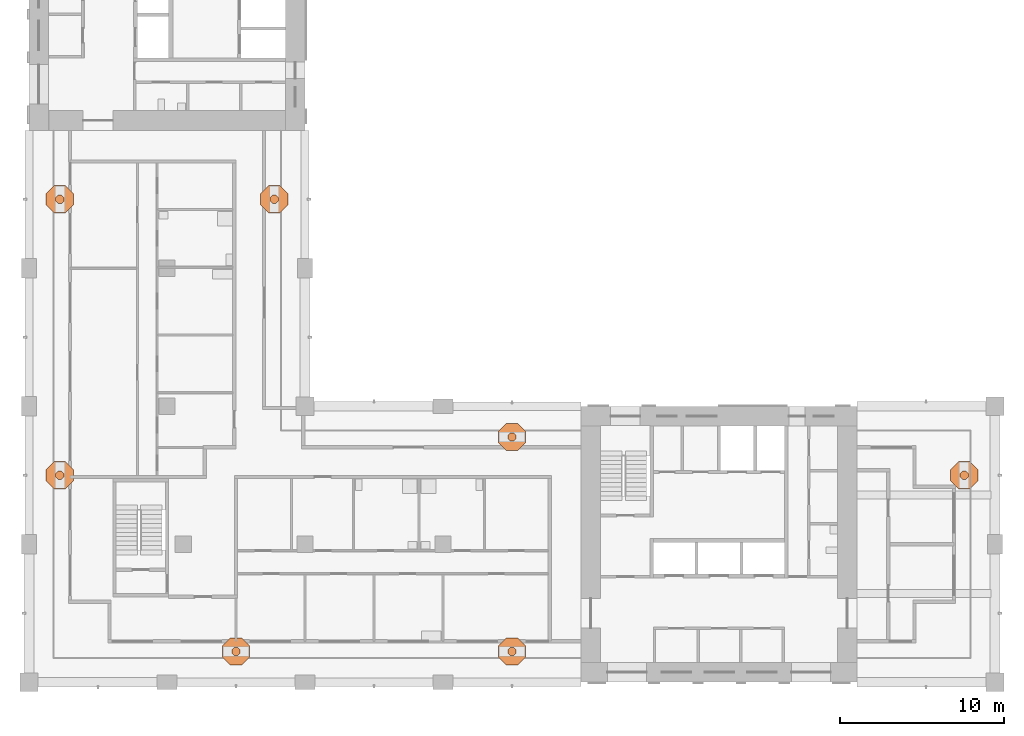
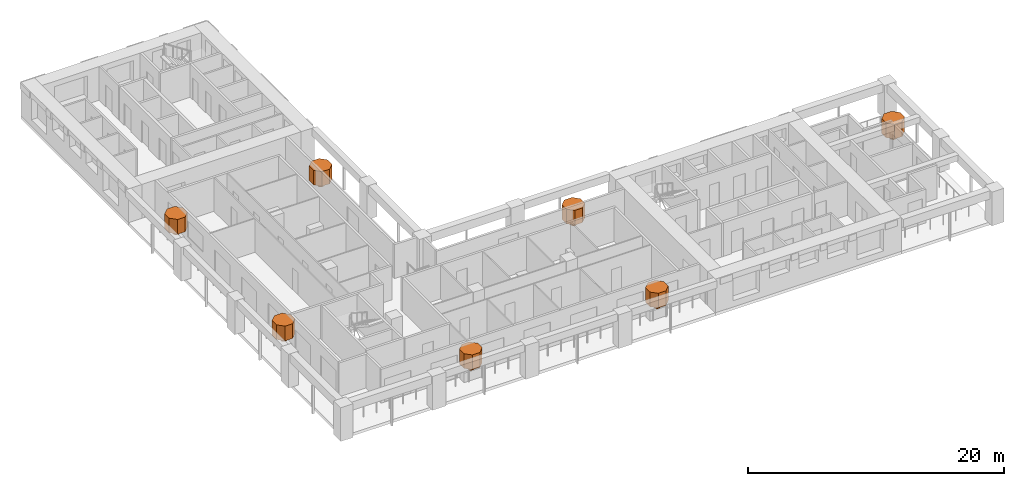
# One storey, part 13 of 13: 14 geographic elements.
"""IFC4 building model written with IfcOpenShell, lengths in metres."""

from ifc_helpers import new_model, si_unit, direction, frame, origin, place, context, subcontext, project, spatial, polyline, outline, extrude, material, element, save


model = new_model("IFC4")

# Units and contexts
model_context = context("Model", 3, precision=1e-05, world=origin(), true_north=direction((0.0, 1.0)))
body_context = subcontext(model_context, "Body", "Model", "MODEL_VIEW")
ifc_project = project(units=[si_unit("LENGTHUNIT", "METRE"), si_unit("AREAUNIT", "SQUARE_METRE"), si_unit("VOLUMEUNIT", "CUBIC_METRE"), si_unit("PLANEANGLEUNIT", "RADIAN"), si_unit("MASSUNIT", "GRAM", prefix="KILO")], contexts=[model_context])

# Site, building, storey
site_placement = place(None, origin())
site = spatial("IfcSite", under=ifc_project, at=site_placement, CompositionType="ELEMENT")
building_placement = place(site_placement, origin())
building = spatial("IfcBuilding", under=site, at=building_placement, Name="Vermilion Gate Residences", CompositionType="ELEMENT")
storey_placement = place(building_placement, frame((0.0, 0.0, 193.199951171875)))
storey = spatial("IfcBuildingStorey", under=building, at=storey_placement, Name="L50", CompositionType="ELEMENT", Elevation=193.199951171875)

# Geographic elements
ifc_material = material(Name="Foliage")
geographic_element_1_placement = place(storey_placement, frame((0.0, 0.0, 0.900146484375)))
element("IfcGeographicElement", 1, at=geographic_element_1_placement, inside=storey, material=ifc_material, Name="Tree (maple)", ObjectType="TREE", PredefinedType="USERDEFINED", context=body_context, shape_type="SweptSolid", body=[
    extrude(outline(polyline([(21.254150390625, 10.380126953125), (21.105224609375, 10.529052734375), (20.894775390625, 10.529052734375), (20.745849609375, 10.380126953125), (20.745849609375, 10.169921875), (20.894775390625, 10.02099609375), (21.105224609375, 10.02099609375), (21.254150390625, 10.169921875), (21.254150390625, 10.380126953125)])), origin(), (0.0, 0.0, 1.0), 0.52001953125),
])
geographic_element_2_placement = place(storey_placement, frame((0.0, 0.0, 1.420166015625)))
element("IfcGeographicElement", 2, at=geographic_element_2_placement, inside=storey, material=ifc_material, Name="Tree crown (maple)", ObjectType="TREE", PredefinedType="USERDEFINED", context=body_context, shape_type="SweptSolid", body=[
    extrude(outline(polyline([(21.83154296875, 10.619384765625), (21.344482421875, 11.1064453125), (20.655517578125, 11.1064453125), (20.16845703125, 10.619384765625), (20.16845703125, 9.9306640625), (20.655517578125, 9.443603515625), (21.344482421875, 9.443603515625), (21.83154296875, 9.9306640625), (21.83154296875, 10.619384765625)])), origin(), (0.0, 0.0, 1.0), 1.39990234375),
])
geographic_element_3_placement = place(storey_placement, frame((0.0, 0.0, 0.900146484375)))
element("IfcGeographicElement", 3, at=geographic_element_3_placement, inside=storey, material=ifc_material, Name="Tree (black pine)", ObjectType="TREE", PredefinedType="USERDEFINED", context=body_context, shape_type="SweptSolid", body=[
    extrude(outline(polyline([(38.05419921875, 10.380126953125), (37.9052734375, 10.529052734375), (37.69482421875, 10.529052734375), (37.5458984375, 10.380126953125), (37.5458984375, 10.169921875), (37.69482421875, 10.02099609375), (37.9052734375, 10.02099609375), (38.05419921875, 10.169921875), (38.05419921875, 10.380126953125)])), origin(), (0.0, 0.0, 1.0), 0.52001953125),
])
geographic_element_4_placement = place(storey_placement, frame((0.0, 0.0, 1.420166015625)))
element("IfcGeographicElement", 4, at=geographic_element_4_placement, inside=storey, material=ifc_material, Name="Tree crown (black pine)", ObjectType="TREE", PredefinedType="USERDEFINED", context=body_context, shape_type="SweptSolid", body=[
    extrude(outline(polyline([(38.631591796875, 10.619384765625), (38.144287109375, 11.1064453125), (37.45556640625, 11.1064453125), (36.968505859375, 10.619384765625), (36.968505859375, 9.9306640625), (37.45556640625, 9.443603515625), (38.144287109375, 9.443603515625), (38.631591796875, 9.9306640625), (38.631591796875, 10.619384765625)])), origin(), (0.0, 0.0, 1.0), 1.39990234375),
])
geographic_element_5_placement = place(storey_placement, frame((0.0, 0.0, 0.900146484375)))
element("IfcGeographicElement", 5, at=geographic_element_5_placement, inside=storey, material=ifc_material, Name="Tree (maple)", ObjectType="TREE", PredefinedType="USERDEFINED", context=body_context, shape_type="SweptSolid", body=[
    extrude(outline(polyline([(65.5791015625, 21.105224609375), (65.43017578125, 21.254150390625), (65.2197265625, 21.254150390625), (65.07080078125, 21.105224609375), (65.07080078125, 20.894775390625), (65.2197265625, 20.745849609375), (65.43017578125, 20.745849609375), (65.5791015625, 20.894775390625), (65.5791015625, 21.105224609375)])), origin(), (0.0, 0.0, 1.0), 0.52001953125),
])
geographic_element_6_placement = place(storey_placement, frame((0.0, 0.0, 1.420166015625)))
element("IfcGeographicElement", 6, at=geographic_element_6_placement, inside=storey, material=ifc_material, Name="Tree crown (maple)", ObjectType="TREE", PredefinedType="USERDEFINED", context=body_context, shape_type="SweptSolid", body=[
    extrude(outline(polyline([(66.156494140625, 21.344482421875), (65.66943359375, 21.83154296875), (64.980712890625, 21.83154296875), (64.493408203125, 21.344482421875), (64.493408203125, 20.655517578125), (64.980712890625, 20.16845703125), (65.66943359375, 20.16845703125), (66.156494140625, 20.655517578125), (66.156494140625, 21.344482421875)])), origin(), (0.0, 0.0, 1.0), 1.39990234375),
])
geographic_element_7_placement = place(storey_placement, frame((0.0, 0.0, 0.900146484375)))
element("IfcGeographicElement", 7, at=geographic_element_7_placement, inside=storey, material=ifc_material, Name="Tree (black pine)", ObjectType="TREE", PredefinedType="USERDEFINED", context=body_context, shape_type="SweptSolid", body=[
    extrude(outline(polyline([(38.05419921875, 23.43017578125), (37.9052734375, 23.5791015625), (37.69482421875, 23.5791015625), (37.5458984375, 23.43017578125), (37.5458984375, 23.2197265625), (37.69482421875, 23.07080078125), (37.9052734375, 23.07080078125), (38.05419921875, 23.2197265625), (38.05419921875, 23.43017578125)])), origin(), (0.0, 0.0, 1.0), 0.52001953125),
])
geographic_element_8_placement = place(storey_placement, frame((0.0, 0.0, 1.420166015625)))
element("IfcGeographicElement", 8, at=geographic_element_8_placement, inside=storey, material=ifc_material, Name="Tree crown (black pine)", ObjectType="TREE", PredefinedType="USERDEFINED", context=body_context, shape_type="SweptSolid", body=[
    extrude(outline(polyline([(38.631591796875, 23.66943359375), (38.144287109375, 24.156494140625), (37.45556640625, 24.156494140625), (36.968505859375, 23.66943359375), (36.968505859375, 22.980712890625), (37.45556640625, 22.493408203125), (38.144287109375, 22.493408203125), (38.631591796875, 22.980712890625), (38.631591796875, 23.66943359375)])), origin(), (0.0, 0.0, 1.0), 1.39990234375),
])
geographic_element_9_placement = place(storey_placement, frame((0.0, 0.0, 0.900146484375)))
element("IfcGeographicElement", 9, at=geographic_element_9_placement, inside=storey, material=ifc_material, Name="Tree (black pine)", ObjectType="TREE", PredefinedType="USERDEFINED", context=body_context, shape_type="SweptSolid", body=[
    extrude(outline(polyline([(23.5791015625, 37.9052734375), (23.43017578125, 38.05419921875), (23.2197265625, 38.05419921875), (23.07080078125, 37.9052734375), (23.07080078125, 37.69482421875), (23.2197265625, 37.5458984375), (23.43017578125, 37.5458984375), (23.5791015625, 37.69482421875), (23.5791015625, 37.9052734375)])), origin(), (0.0, 0.0, 1.0), 0.52001953125),
])
geographic_element_10_placement = place(storey_placement, frame((0.0, 0.0, 1.420166015625)))
element("IfcGeographicElement", 10, at=geographic_element_10_placement, inside=storey, material=ifc_material, Name="Tree crown (black pine)", ObjectType="TREE", PredefinedType="USERDEFINED", context=body_context, shape_type="SweptSolid", body=[
    extrude(outline(polyline([(24.156494140625, 38.144287109375), (23.66943359375, 38.631591796875), (22.980712890625, 38.631591796875), (22.493408203125, 38.144287109375), (22.493408203125, 37.45556640625), (22.980712890625, 36.968505859375), (23.66943359375, 36.968505859375), (24.156494140625, 37.45556640625), (24.156494140625, 38.144287109375)])), origin(), (0.0, 0.0, 1.0), 1.39990234375),
])
geographic_element_11_placement = place(storey_placement, frame((0.0, 0.0, 0.900146484375)))
element("IfcGeographicElement", 11, at=geographic_element_11_placement, inside=storey, material=ifc_material, Name="Tree (maple)", ObjectType="TREE", PredefinedType="USERDEFINED", context=body_context, shape_type="SweptSolid", body=[
    extrude(outline(polyline([(10.529052734375, 21.105224609375), (10.380126953125, 21.254150390625), (10.169921875, 21.254150390625), (10.02099609375, 21.105224609375), (10.02099609375, 20.894775390625), (10.169921875, 20.745849609375), (10.380126953125, 20.745849609375), (10.529052734375, 20.894775390625), (10.529052734375, 21.105224609375)])), origin(), (0.0, 0.0, 1.0), 0.52001953125),
])
geographic_element_12_placement = place(storey_placement, frame((0.0, 0.0, 1.420166015625)))
element("IfcGeographicElement", 12, at=geographic_element_12_placement, inside=storey, material=ifc_material, Name="Tree crown (maple)", ObjectType="TREE", PredefinedType="USERDEFINED", context=body_context, shape_type="SweptSolid", body=[
    extrude(outline(polyline([(11.1064453125, 21.344482421875), (10.619384765625, 21.83154296875), (9.9306640625, 21.83154296875), (9.443603515625, 21.344482421875), (9.443603515625, 20.655517578125), (9.9306640625, 20.16845703125), (10.619384765625, 20.16845703125), (11.1064453125, 20.655517578125), (11.1064453125, 21.344482421875)])), origin(), (0.0, 0.0, 1.0), 1.39990234375),
])
geographic_element_13_placement = place(storey_placement, frame((0.0, 0.0, 0.900146484375)))
element("IfcGeographicElement", 13, at=geographic_element_13_placement, inside=storey, material=ifc_material, Name="Tree (black pine)", ObjectType="TREE", PredefinedType="USERDEFINED", context=body_context, shape_type="SweptSolid", body=[
    extrude(outline(polyline([(10.529052734375, 37.9052734375), (10.380126953125, 38.05419921875), (10.169921875, 38.05419921875), (10.02099609375, 37.9052734375), (10.02099609375, 37.69482421875), (10.169921875, 37.5458984375), (10.380126953125, 37.5458984375), (10.529052734375, 37.69482421875), (10.529052734375, 37.9052734375)])), origin(), (0.0, 0.0, 1.0), 0.52001953125),
])
geographic_element_14_placement = place(storey_placement, frame((0.0, 0.0, 1.420166015625)))
element("IfcGeographicElement", 14, at=geographic_element_14_placement, inside=storey, material=ifc_material, Name="Tree crown (black pine)", ObjectType="TREE", PredefinedType="USERDEFINED", context=body_context, shape_type="SweptSolid", body=[
    extrude(outline(polyline([(11.1064453125, 38.144287109375), (10.619384765625, 38.631591796875), (9.9306640625, 38.631591796875), (9.443603515625, 38.144287109375), (9.443603515625, 37.45556640625), (9.9306640625, 36.968505859375), (10.619384765625, 36.968505859375), (11.1064453125, 37.45556640625), (11.1064453125, 38.144287109375)])), origin(), (0.0, 0.0, 1.0), 1.39990234375),
])

save(model, "model.ifc")
